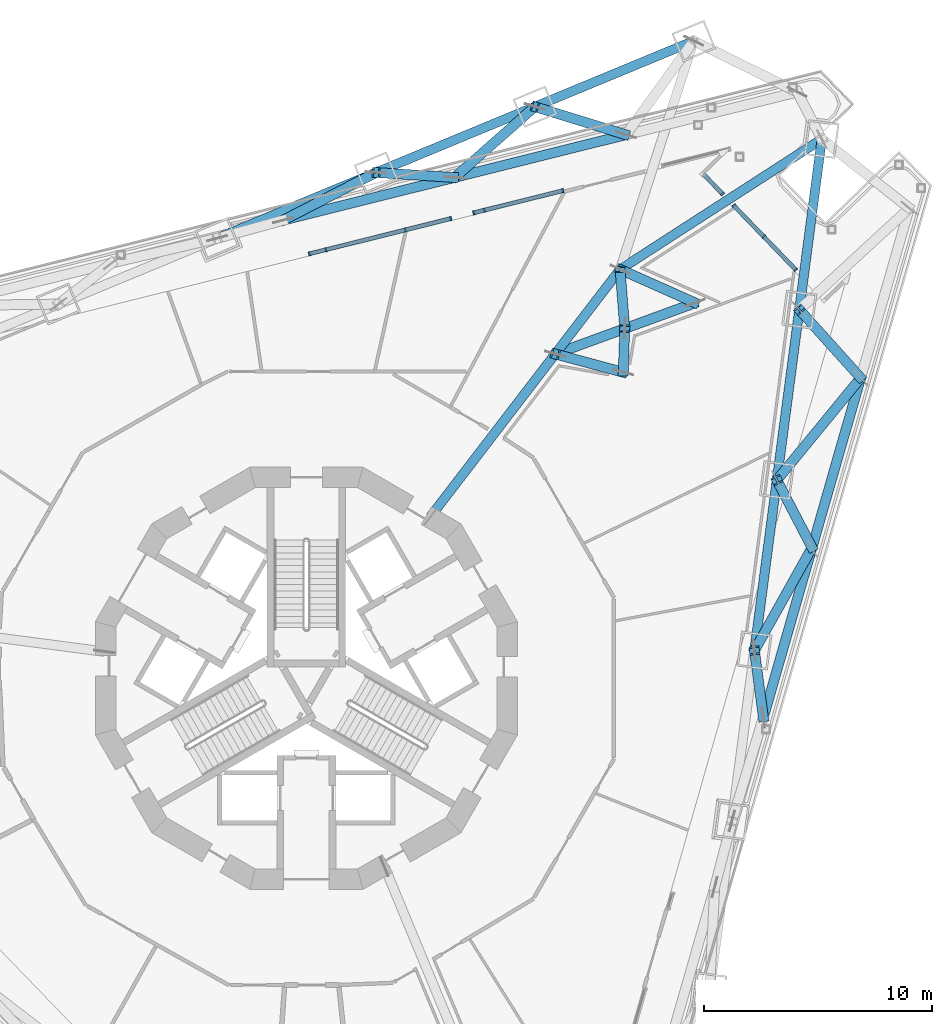
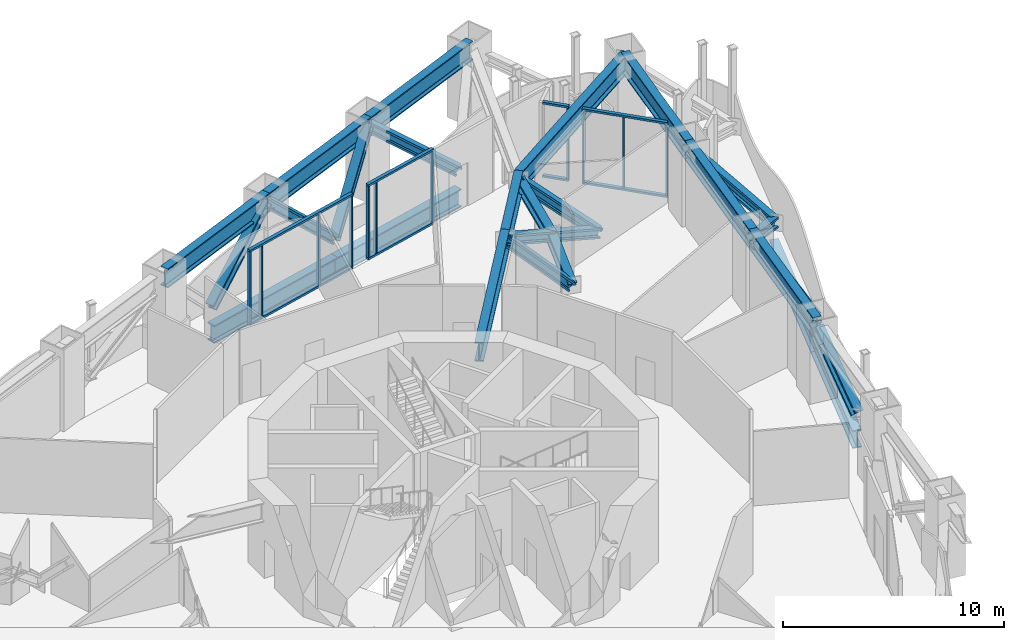
# One storey, part 5 of 26: 43 members, 3 beams, 4 elements without a shape of their own.
"""IFC4 building model written with IfcOpenShell, lengths in metres."""

from ifc_helpers import new_model, si_unit, direction, frame, origin, origin_2d, place, context, subcontext, project, spatial, rectangle, i_section, extrude, material, layer, layer_set, material_profile, profile_set, type_object, element, aggregate, save


model = new_model("IFC4")

# Units and contexts
model_context = context("Model", 3, precision=1e-05, world=origin(), true_north=direction((0.0, 1.0)))
body_context = subcontext(model_context, "Body", "Model", "MODEL_VIEW")
ifc_project = project(units=[si_unit("LENGTHUNIT", "METRE"), si_unit("AREAUNIT", "SQUARE_METRE"), si_unit("VOLUMEUNIT", "CUBIC_METRE"), si_unit("PLANEANGLEUNIT", "RADIAN"), si_unit("MASSUNIT", "GRAM", prefix="KILO")], contexts=[model_context])

# Site, building, storey
site_placement = place(None, origin())
site = spatial("IfcSite", under=ifc_project, at=site_placement, CompositionType="ELEMENT")
building_placement = place(site_placement, origin())
building = spatial("IfcBuilding", under=site, at=building_placement, Name="Trine Commons Tower", CompositionType="ELEMENT")
storey_placement = place(building_placement, frame((0.0, 0.0, 119.699951171875)))
storey = spatial("IfcBuildingStorey", under=building, at=storey_placement, Name="L30", CompositionType="ELEMENT", Elevation=119.699951171875)

# Curtain wall, members
ifc_material_1 = material(Name="Sky lounge glazing: anodised aluminium frame with low-emissivity double glazed unit, solar control", Category="aluminium")
ifc_layer = layer(ifc_material_1, 0.179931640625)
ifc_layer_set = layer_set([ifc_layer], Name="Sky lounge glazing: anodised aluminium frame with low-emissivity double glazed unit, solar control")
curtain_wall_type = type_object("IfcCurtainWallType", Name="Sky lounge glazing curtain wall CW5", PredefinedType="NOTDEFINED", material=ifc_layer_set)
curtain_wall_1_placement = place(storey_placement, origin())
curtain_wall_1 = element("IfcCurtainWall", 1, at=curtain_wall_1_placement, inside=storey, type_object=curtain_wall_type, Name="Sky lounge glazing L30 F1.1", PredefinedType="NOTDEFINED")
ifc_material_2 = material(Name="Anodised aluminium, bronze finish", Category="aluminium")
ifc_material_profile_1 = material_profile(ifc_material_2, rectangle(XDim=0.179931640625, YDim=0.074951171875, at=origin_2d()), Name="Mullion 75x180")
ifc_profile_set_1 = profile_set([ifc_material_profile_1], Name="Anodised aluminium, bronze finish")
member_type_1 = type_object("IfcMemberType", Name="Mullion 75x180, Anodised aluminium, bronze finish", PredefinedType="MULLION", material=ifc_profile_set_1)
member_1_placement = place(storey_placement, frame((80.134521484375, 81.145263671875, 0.110107421875), z_axis=(0.0, 0.0, 1.0), x_axis=(-0.2419218956, 0.970295726276, 0.0)))
member_1 = element("IfcMember", 2, at=member_1_placement, type_object=member_type_1, Name="CW5 mullion 1.1", PredefinedType="MULLION", context=body_context, shape_type="SweptSolid", body=[
    extrude(rectangle(XDim=0.179931640625, YDim=0.074951171875, at=origin_2d()), origin(), (0.0, 0.0, 1.0), 3.929931640625),
])
member_2_placement = place(storey_placement, frame((80.853759765625, 81.32470703125, 0.110107421875), z_axis=(0.0, 0.0, 1.0), x_axis=(-0.2419218956, 0.970295726276, 0.0)))
member_2 = element("IfcMember", 3, at=member_2_placement, type_object=member_type_1, Name="CW5 mullion 2.1", PredefinedType="MULLION", context=body_context, shape_type="SweptSolid", body=[
    extrude(rectangle(XDim=0.179931640625, YDim=0.074951171875, at=origin_2d()), origin(), (0.0, 0.0, 1.0), 3.929931640625),
])
member_3_placement = place(storey_placement, frame((84.33544921875, 82.192626953125, 0.110107421875), z_axis=(0.0, 0.0, 1.0), x_axis=(-0.2419218956, 0.970295726276, 0.0)))
member_3 = element("IfcMember", 4, at=member_3_placement, type_object=member_type_1, Name="CW5 mullion 3.1", PredefinedType="MULLION", context=body_context, shape_type="SweptSolid", body=[
    extrude(rectangle(XDim=0.179931640625, YDim=0.074951171875, at=origin_2d()), origin(), (0.0, 0.0, 1.0), 3.929931640625),
])
member_4_placement = place(storey_placement, frame((86.334716796875, 82.691162109375, 0.110107421875), z_axis=(0.0, 0.0, 1.0), x_axis=(-0.2419218956, 0.970295726276, 0.0)))
member_4 = element("IfcMember", 5, at=member_4_placement, type_object=member_type_1, Name="CW5 mullion 4.1", PredefinedType="MULLION", context=body_context, shape_type="SweptSolid", body=[
    extrude(rectangle(XDim=0.179931640625, YDim=0.074951171875, at=origin_2d()), origin(), (0.0, 0.0, 1.0), 3.929931640625),
])

curtain_wall_2_placement = place(storey_placement, origin())
curtain_wall_2 = element("IfcCurtainWall", 6, at=curtain_wall_2_placement, inside=storey, type_object=curtain_wall_type, Name="Sky lounge glazing L30 F1.2", PredefinedType="NOTDEFINED")
member_5_placement = place(storey_placement, frame((87.354736328125, 82.945556640625, 0.110107421875), z_axis=(0.0, 0.0, 1.0), x_axis=(-0.2419218956, 0.970295726276, 0.0)))
member_5 = element("IfcMember", 7, at=member_5_placement, type_object=member_type_1, Name="CW5 mullion 1.1", PredefinedType="MULLION", context=body_context, shape_type="SweptSolid", body=[
    extrude(rectangle(XDim=0.179931640625, YDim=0.074951171875, at=origin_2d()), origin(), (0.0, 0.0, 1.0), 3.929931640625),
])
member_6_placement = place(storey_placement, frame((87.81689453125, 83.060791015625, 0.110107421875), z_axis=(0.0, 0.0, 1.0), x_axis=(-0.2419218956, 0.970295726276, 0.0)))
member_6 = element("IfcMember", 8, at=member_6_placement, type_object=member_type_1, Name="CW5 mullion 2.1", PredefinedType="MULLION", context=body_context, shape_type="SweptSolid", body=[
    extrude(rectangle(XDim=0.179931640625, YDim=0.074951171875, at=origin_2d()), origin(), (0.0, 0.0, 1.0), 3.929931640625),
])
member_7_placement = place(storey_placement, frame((91.26220703125, 83.919921875, 0.110107421875), z_axis=(0.0, 0.0, 1.0), x_axis=(-0.2419218956, 0.970295726276, 0.0)))
member_7 = element("IfcMember", 9, at=member_7_placement, type_object=member_type_1, Name="CW5 mullion 3.1", PredefinedType="MULLION", context=body_context, shape_type="SweptSolid", body=[
    extrude(rectangle(XDim=0.179931640625, YDim=0.074951171875, at=origin_2d()), origin(), (0.0, 0.0, 1.0), 3.929931640625),
])

# Curtain wall, member
curtain_wall_3_placement = place(storey_placement, origin())
curtain_wall_3 = element("IfcCurtainWall", 10, at=curtain_wall_3_placement, inside=storey, type_object=curtain_wall_type, Name="Sky lounge glazing L30 P2.1", PredefinedType="NOTDEFINED")
member_8_placement = place(storey_placement, frame((98.27587890625, 83.7783203125, 0.110107421875), z_axis=(0.0, 0.0, 1.0), x_axis=(0.719339800339, 0.694658370459, 0.0)))
member_8 = element("IfcMember", 11, at=member_8_placement, type_object=member_type_1, Name="CW5 mullion 2.1", PredefinedType="MULLION", context=body_context, shape_type="SweptSolid", body=[
    extrude(rectangle(XDim=0.179931640625, YDim=0.074951171875, at=origin_2d()), origin(), (0.0, 0.0, 1.0), 3.929931640625),
])

# Curtain wall, members
curtain_wall_4_placement = place(storey_placement, origin())
curtain_wall_4 = element("IfcCurtainWall", 12, at=curtain_wall_4_placement, inside=storey, type_object=curtain_wall_type, Name="Sky lounge glazing L30 P2.2", PredefinedType="NOTDEFINED")
member_9_placement = place(storey_placement, frame((98.7734375, 83.26318359375, 0.110107421875), z_axis=(0.0, 0.0, 1.0), x_axis=(0.719339800339, 0.694658370459, 0.0)))
member_9 = element("IfcMember", 13, at=member_9_placement, type_object=member_type_1, Name="CW5 mullion 1.1", PredefinedType="MULLION", context=body_context, shape_type="SweptSolid", body=[
    extrude(rectangle(XDim=0.179931640625, YDim=0.074951171875, at=origin_2d()), origin(), (0.0, 0.0, 1.0), 3.929931640625),
])
member_10_placement = place(storey_placement, frame((100.089599609375, 81.900390625, 0.110107421875), z_axis=(0.0, 0.0, 1.0), x_axis=(0.719339800339, 0.694658370459, 0.0)))
member_10 = element("IfcMember", 14, at=member_10_placement, type_object=member_type_1, Name="CW5 mullion 2.1", PredefinedType="MULLION", context=body_context, shape_type="SweptSolid", body=[
    extrude(rectangle(XDim=0.179931640625, YDim=0.074951171875, at=origin_2d()), origin(), (0.0, 0.0, 1.0), 3.929931640625),
])
member_11_placement = place(storey_placement, frame((101.497802734375, 80.44189453125, 0.110107421875), z_axis=(0.0, 0.0, 1.0), x_axis=(0.719339800339, 0.694658370459, 0.0)))
member_11 = element("IfcMember", 15, at=member_11_placement, type_object=member_type_1, Name="CW5 mullion 3.1", PredefinedType="MULLION", context=body_context, shape_type="SweptSolid", body=[
    extrude(rectangle(XDim=0.179931640625, YDim=0.074951171875, at=origin_2d()), origin(), (0.0, 0.0, 1.0), 3.929931640625),
])

# Beams
ifc_material_3 = material(Name="Structural steel ASTM A992 Gr50", Category="steel")
ifc_material_profile_2 = material_profile(ifc_material_3, i_section(OverallWidth=0.412841796875, OverallDepth=1.0478515625, WebThickness=0.033935546875, FlangeThickness=0.059814453125, FilletRadius=0.030029296875, at=origin_2d()), Name="W40X431")
ifc_profile_set_2 = profile_set([ifc_material_profile_2], Name="Structural steel ASTM A992 Gr50")
beam_type = type_object("IfcBeamType", Name="Steel beam W40X431, ASTM A992 Gr50", PredefinedType="BEAM", material=ifc_profile_set_2)
beam_1_placement = place(storey_placement, frame((102.6376953125, 86.1796875, 3.626220703125), z_axis=(-0.840027066575, -0.542544493495, 0.0), x_axis=(0.542544493495, -0.840027066575, 0.0)))
element("IfcBeam", 16, at=beam_1_placement, inside=storey, type_object=beam_type, Name="Transfer truss girder T3-UV-04", PredefinedType="BEAM", context=body_context, shape_type="SweptSolid", body=[
    extrude(i_section(OverallWidth=0.412841796875, OverallDepth=1.0478515625, WebThickness=0.033935546875, FlangeThickness=0.059814453125, FilletRadius=0.030029296875, at=origin_2d()), origin(), (0.0, 0.0, 1.0), 10.544189453125),
])
beam_2_placement = place(storey_placement, frame((85.4501953125, 69.602783203125, 3.626220703125), z_axis=(0.60876400574, 0.793351363089, 0.0), x_axis=(-0.793351363089, 0.60876400574, 0.0)))
element("IfcBeam", 17, at=beam_2_placement, inside=storey, type_object=beam_type, Name="Transfer truss girder T3-UR-03", PredefinedType="BEAM", context=body_context, shape_type="SweptSolid", body=[
    extrude(i_section(OverallWidth=0.412841796875, OverallDepth=1.0478515625, WebThickness=0.033935546875, FlangeThickness=0.059814453125, FilletRadius=0.030029296875, at=origin_2d()), origin(), (0.0, 0.0, 1.0), 9.001708984375),
])
beam_3_placement = place(storey_placement, frame((90.93017578125, 76.744384765625, 3.626220703125), z_axis=(0.608732542894, 0.793375504551, 0.0), x_axis=(-0.793375504551, 0.608732542894, 0.0)))
element("IfcBeam", 18, at=beam_3_placement, inside=storey, type_object=beam_type, Name="Transfer truss girder T3-UR-04", PredefinedType="BEAM", context=body_context, shape_type="SweptSolid", body=[
    extrude(i_section(OverallWidth=0.412841796875, OverallDepth=1.0478515625, WebThickness=0.033935546875, FlangeThickness=0.059814453125, FilletRadius=0.030029296875, at=origin_2d()), origin(), (0.0, 0.0, 1.0), 4.68212890625),
])

# Members
ifc_material_profile_3 = material_profile(ifc_material_3, i_section(OverallWidth=0.43798828125, OverallDepth=0.514404296875, WebThickness=0.060546875, FlangeThickness=0.096923828125, FilletRadius=0.015380859375, at=origin_2d()), Name="W14X550")
ifc_profile_set_3 = profile_set([ifc_material_profile_3], Name="Structural steel ASTM A992 Gr50")
member_type_2 = type_object("IfcMemberType", Name="Steel brace W14X550, ASTM A992 Gr50", PredefinedType="BRACE", material=ifc_profile_set_3)
member_12_placement = place(storey_placement, frame((86.50830078125, 84.496826171875, 0.49365234375), z_axis=(-0.739411248239, 0.04679552994, 0.671625777018), x_axis=(-0.063161191048, -0.998003338644, 0.0)))
element("IfcMember", 19, at=member_12_placement, inside=storey, type_object=member_type_2, Name="Transfer truss brace T3-DG-27", PredefinedType="BRACE", context=body_context, shape_type="SweptSolid", body=[
    extrude(i_section(OverallWidth=0.43798828125, OverallDepth=0.514404296875, WebThickness=0.060546875, FlangeThickness=0.096923828125, FilletRadius=0.015380859375, at=origin_2d()), origin(), (0.0, 0.0, 1.0), 4.6640625),
])
member_13_placement = place(storey_placement, frame((78.981201171875, 82.6201171875, 0.49365234375), z_axis=(0.734454143108, 0.377273331458, 0.564129369065), x_axis=(-0.456920841701, 0.88950736052, 0.0)))
element("IfcMember", 20, at=member_13_placement, inside=storey, type_object=member_type_2, Name="Transfer truss brace T3-DG-28", PredefinedType="BRACE", context=body_context, shape_type="SweptSolid", body=[
    extrude(i_section(OverallWidth=0.43798828125, OverallDepth=0.514404296875, WebThickness=0.060546875, FlangeThickness=0.096923828125, FilletRadius=0.015380859375, at=origin_2d()), origin(), (0.0, 0.0, 1.0), 5.552978515625),
])
member_14_placement = place(storey_placement, frame((94.035400390625, 86.37353515625, 0.49365234375), z_axis=(-0.765049696515, 0.235601115405, 0.599325517796), x_axis=(-0.294315453968, -0.955708330797, 0.0)))
element("IfcMember", 21, at=member_14_placement, inside=storey, type_object=member_type_2, Name="Transfer truss brace T3-DG-29", PredefinedType="BRACE", context=body_context, shape_type="SweptSolid", body=[
    extrude(i_section(OverallWidth=0.43798828125, OverallDepth=0.514404296875, WebThickness=0.060546875, FlangeThickness=0.096923828125, FilletRadius=0.015380859375, at=origin_2d()), origin(), (0.0, 0.0, 1.0), 5.226806640625),
])
member_15_placement = place(storey_placement, frame((86.50830078125, 84.496826171875, 0.49365234375), z_axis=(0.624479985606, 0.550114496039, 0.554435558768), x_axis=(-0.661015229923, 0.75037248471, 0.0)))
element("IfcMember", 22, at=member_15_placement, inside=storey, type_object=member_type_2, Name="Transfer truss brace T3-DG-30", PredefinedType="BRACE", context=body_context, shape_type="SweptSolid", body=[
    extrude(i_section(OverallWidth=0.43798828125, OverallDepth=0.514404296875, WebThickness=0.060546875, FlangeThickness=0.096923828125, FilletRadius=0.015380859375, at=origin_2d()), origin(), (0.0, 0.0, 1.0), 5.64990234375),
])
member_16_placement = place(storey_placement, frame((104.348876953125, 75.69384765625, 0.49365234375), z_axis=(-0.528116927257, 0.587163134496, 0.613459016262), x_axis=(-0.743501822295, -0.6687339084, 0.0)))
element("IfcMember", 23, at=member_16_placement, inside=storey, type_object=member_type_2, Name="Transfer truss brace T3-DG-35", PredefinedType="BRACE", context=body_context, shape_type="SweptSolid", body=[
    extrude(i_section(OverallWidth=0.43798828125, OverallDepth=0.514404296875, WebThickness=0.060546875, FlangeThickness=0.096923828125, FilletRadius=0.015380859375, at=origin_2d()), origin(), (0.0, 0.0, 1.0), 5.1064453125),
])
member_17_placement = place(storey_placement, frame((102.210693359375, 68.23681640625, 0.49365234375), z_axis=(-0.336963772152, 0.647560635165, 0.683462244781), x_axis=(-0.887086542523, -0.461603147816, 0.0)))
element("IfcMember", 24, at=member_17_placement, inside=storey, type_object=member_type_2, Name="Transfer truss brace T3-DG-37", PredefinedType="BRACE", context=body_context, shape_type="SweptSolid", body=[
    extrude(i_section(OverallWidth=0.43798828125, OverallDepth=0.514404296875, WebThickness=0.060546875, FlangeThickness=0.096923828125, FilletRadius=0.015380859375, at=origin_2d()), origin(), (0.0, 0.0, 1.0), 4.58349609375),
])
member_18_placement = place(storey_placement, frame((104.348876953125, 75.69384765625, 0.49365234375), z_axis=(-0.558190842943, -0.680419983373, 0.474817469226), x_axis=(0.773130466266, -0.634247019805, 0.0)))
element("IfcMember", 25, at=member_18_placement, inside=storey, type_object=member_type_2, Name="Transfer truss brace T3-DG-38", PredefinedType="BRACE", context=body_context, shape_type="SweptSolid", body=[
    extrude(i_section(OverallWidth=0.43798828125, OverallDepth=0.514404296875, WebThickness=0.060546875, FlangeThickness=0.096923828125, FilletRadius=0.015380859375, at=origin_2d()), origin(), (0.0, 0.0, 1.0), 6.597412109375),
])
member_19_placement = place(storey_placement, frame((100.072265625, 60.779541015625, 0.49365234375), z_axis=(-0.090861192543, 0.681260804398, 0.726380038327), x_axis=(-0.991222864333, -0.132201487224, 0.0)))
element("IfcMember", 26, at=member_19_placement, inside=storey, type_object=member_type_2, Name="Transfer truss brace T3-DG-39", PredefinedType="BRACE", context=body_context, shape_type="SweptSolid", body=[
    extrude(i_section(OverallWidth=0.43798828125, OverallDepth=0.514404296875, WebThickness=0.060546875, FlangeThickness=0.096923828125, FilletRadius=0.015380859375, at=origin_2d()), origin(), (0.0, 0.0, 1.0), 4.3125),
])
member_20_placement = place(storey_placement, frame((102.210693359375, 68.23681640625, 0.49365234375), z_axis=(-0.418017363582, -0.746615150257, 0.517520338877), x_axis=(0.87254941741, -0.488525858248, 0.0)))
element("IfcMember", 27, at=member_20_placement, inside=storey, type_object=member_type_2, Name="Transfer truss brace T3-DG-40", PredefinedType="BRACE", context=body_context, shape_type="SweptSolid", body=[
    extrude(i_section(OverallWidth=0.43798828125, OverallDepth=0.514404296875, WebThickness=0.060546875, FlangeThickness=0.096923828125, FilletRadius=0.015380859375, at=origin_2d()), origin(), (0.0, 0.0, 1.0), 6.052978515625),
])
member_21_placement = place(storey_placement, frame((93.917724609375, 75.940185546875, 0.49365234375), z_axis=(-0.678547441504, 0.182653858978, 0.711485022631), x_axis=(-0.259931024816, -0.965627185998, 0.0)))
element("IfcMember", 28, at=member_21_placement, inside=storey, type_object=member_type_2, Name="Transfer truss brace T3-DG-53", PredefinedType="BRACE", context=body_context, shape_type="SweptSolid", body=[
    extrude(i_section(OverallWidth=0.43798828125, OverallDepth=0.514404296875, WebThickness=0.060546875, FlangeThickness=0.096923828125, FilletRadius=0.015380859375, at=origin_2d()), origin(), (0.0, 0.0, 1.0), 4.40283203125),
])
member_22_placement = place(storey_placement, frame((97.07666015625, 78.99072265625, 0.49365234375), z_axis=(-0.847180403654, -0.309616575072, 0.431767229078), x_axis=(0.343261309558, -0.939239944509, 0.0)))
element("IfcMember", 29, at=member_22_placement, inside=storey, type_object=member_type_2, Name="Transfer truss brace T3-DG-54", PredefinedType="BRACE", context=body_context, shape_type="SweptSolid", body=[
    extrude(i_section(OverallWidth=0.43798828125, OverallDepth=0.514404296875, WebThickness=0.060546875, FlangeThickness=0.096923828125, FilletRadius=0.015380859375, at=origin_2d()), origin(), (0.0, 0.0, 1.0), 7.255126953125),
])
member_23_placement = place(storey_placement, frame((97.07666015625, 78.99072265625, 0.49365234375), z_axis=(-0.689823833869, 0.307258223736, 0.655542113196), x_axis=(-0.406879053686, -0.913482039053, 0.0)))
element("IfcMember", 30, at=member_23_placement, inside=storey, type_object=member_type_2, Name="Transfer truss brace T3-DG-55", PredefinedType="BRACE", context=body_context, shape_type="SweptSolid", body=[
    extrude(i_section(OverallWidth=0.43798828125, OverallDepth=0.514404296875, WebThickness=0.060546875, FlangeThickness=0.096923828125, FilletRadius=0.015380859375, at=origin_2d()), origin(), (0.0, 0.0, 1.0), 4.778564453125),
])
member_24_placement = place(storey_placement, frame((93.917724609375, 75.940185546875, 0.49365234375), z_axis=(0.026129724886, 0.772496828967, 0.634480800902), x_axis=(-0.999428424249, 0.033805691868, 0.0)))
element("IfcMember", 31, at=member_24_placement, inside=storey, type_object=member_type_2, Name="Transfer truss brace T3-DG-56a", PredefinedType="BRACE", context=body_context, shape_type="SweptSolid", body=[
    extrude(i_section(OverallWidth=0.43798828125, OverallDepth=0.514404296875, WebThickness=0.060546875, FlangeThickness=0.096923828125, FilletRadius=0.015380859375, at=origin_2d()), origin(), (0.0, 0.0, 1.0), 2.4853515625),
])
member_25_placement = place(storey_placement, frame((93.982666015625, 77.860107421875, 2.070556640625), z_axis=(-0.066671749297, 0.85611673253, 0.512463674935), x_axis=(-0.996981315211, -0.077641851603, 0.0)))
element("IfcMember", 32, at=member_25_placement, inside=storey, type_object=member_type_2, Name="Transfer truss brace T3-DG-56b", PredefinedType="BRACE", context=body_context, shape_type="SweptSolid", body=[
    extrude(i_section(OverallWidth=0.43798828125, OverallDepth=0.514404296875, WebThickness=0.060546875, FlangeThickness=0.096923828125, FilletRadius=0.015380859375, at=origin_2d()), origin(), (0.0, 0.0, 1.0), 3.03564453125),
])
ifc_material_profile_4 = material_profile(ifc_material_3, i_section(OverallWidth=0.431884765625, OverallDepth=0.9873046875, WebThickness=0.034423828125, FlangeThickness=0.06201171875, FilletRadius=0.024169921875, at=origin_2d()), Name="W36X441")
ifc_profile_set_4 = profile_set([ifc_material_profile_4], Name="Structural steel ASTM A992 Gr50")
member_type_3 = type_object("IfcMemberType", Name="Steel chord W36X441, ASTM A992 Gr50", PredefinedType="CHORD", material=ifc_profile_set_4)
for number, where, z_axis, x_axis, name in (
    (33, (78.981201171875, 82.6201171875, -0.943603515625), (0.970295960131, 0.241920957657, 0.0), (-0.241920957657, 0.970295960131, 0.0), "Transfer truss chord T3-LC-12"),
    (34, (86.50830078125, 84.496826171875, -0.943603515625), (0.970295960131, 0.241920957657, 0.0), (-0.241920957657, 0.970295960131, 0.0), "Transfer truss chord T3-LC-13"),
    (35, (104.348876953125, 75.69384765625, -0.943603515625), (-0.275627146761, -0.961264623279, 0.0), (0.961264623279, -0.275627146761, 0.0), "Transfer truss chord T3-LC-16"),
):
    element("IfcMember", number, at=place(storey_placement, frame(where, z_axis=z_axis, x_axis=x_axis)), inside=storey, type_object=member_type_3, Name=name, PredefinedType="CHORD", context=body_context, shape_type="SweptSolid", body=[
        extrude(i_section(OverallWidth=0.431884765625, OverallDepth=0.9873046875, WebThickness=0.034423828125, FlangeThickness=0.06201171875, FilletRadius=0.024169921875, at=origin_2d()), origin(), (0.0, 0.0, 1.0), 7.757568359375),
    ])
member_26_placement = place(storey_placement, frame((102.210693359375, 68.23681640625, -0.943603515625), z_axis=(-0.275647888077, -0.961258675799, 0.0), x_axis=(0.961258675799, -0.275647888077, 0.0)))
element("IfcMember", 36, at=member_26_placement, inside=storey, type_object=member_type_3, Name="Transfer truss chord T3-LC-17", PredefinedType="CHORD", context=body_context, shape_type="SweptSolid", body=[
    extrude(i_section(OverallWidth=0.431884765625, OverallDepth=0.9873046875, WebThickness=0.034423828125, FlangeThickness=0.06201171875, FilletRadius=0.024169921875, at=origin_2d()), origin(), (0.0, 0.0, 1.0), 7.7578125),
])
ifc_material_profile_5 = material_profile(ifc_material_3, i_section(OverallWidth=0.412841796875, OverallDepth=1.0478515625, WebThickness=0.033935546875, FlangeThickness=0.059814453125, FilletRadius=0.030029296875, at=origin_2d()), Name="W40X431")
ifc_profile_set_5 = profile_set([ifc_material_profile_5], Name="Structural steel ASTM A992 Gr50")
member_type_4 = type_object("IfcMemberType", Name="Steel chord W40X431, ASTM A992 Gr50", PredefinedType="CHORD", material=ifc_profile_set_5)
for number, where, z_axis, x_axis, name in (
    (37, (76.08251953125, 81.8251953125, 3.626220703125), (0.923884049359, 0.382672527548, 0.0), (-0.382672527548, 0.923884049359, 0.0), "Transfer truss chord T3-UC-12"),
    (38, (83.0595703125, 84.715087890625, 3.626220703125), (0.923884049359, 0.382672527548, 0.0), (-0.382672527548, 0.923884049359, 0.0), "Transfer truss chord T3-UC-13"),
):
    element("IfcMember", number, at=place(storey_placement, frame(where, z_axis=z_axis, x_axis=x_axis)), inside=storey, type_object=member_type_4, Name=name, PredefinedType="CHORD", context=body_context, shape_type="SweptSolid", body=[
        extrude(i_section(OverallWidth=0.412841796875, OverallDepth=1.0478515625, WebThickness=0.033935546875, FlangeThickness=0.059814453125, FilletRadius=0.030029296875, at=origin_2d()), origin(), (0.0, 0.0, 1.0), 7.5517578125),
    ])
member_27_placement = place(storey_placement, frame((90.03662109375, 87.60498046875, 3.626220703125), z_axis=(0.923872619505, 0.382700121412, 0.0), x_axis=(-0.382700121412, 0.923872619505, 0.0)))
element("IfcMember", 39, at=member_27_placement, inside=storey, type_object=member_type_4, Name="Transfer truss chord T3-UC-14", PredefinedType="CHORD", context=body_context, shape_type="SweptSolid", body=[
    extrude(i_section(OverallWidth=0.412841796875, OverallDepth=1.0478515625, WebThickness=0.033935546875, FlangeThickness=0.059814453125, FilletRadius=0.030029296875, at=origin_2d()), origin(), (0.0, 0.0, 1.0), 7.552001953125),
])
member_28_placement = place(storey_placement, frame((102.6376953125, 86.1796875, 3.626220703125), z_axis=(-0.130505523157, -0.991447582288, 0.0), x_axis=(0.991447582288, -0.130505523157, 0.0)))
element("IfcMember", 40, at=member_28_placement, inside=storey, type_object=member_type_4, Name="Transfer truss chord T3-UC-15", PredefinedType="CHORD", context=body_context, shape_type="SweptSolid", body=[
    extrude(i_section(OverallWidth=0.412841796875, OverallDepth=1.0478515625, WebThickness=0.033935546875, FlangeThickness=0.059814453125, FilletRadius=0.030029296875, at=origin_2d()), origin(), (0.0, 0.0, 1.0), 7.55224609375),
])
for number, where, z_axis, x_axis, name in (
    (41, (101.652099609375, 78.692138671875, 3.626220703125), (-0.130541483651, -0.991442848099, 0.0), (0.991442848099, -0.130541483651, 0.0), "Transfer truss chord T3-UC-16"),
    (42, (100.666259765625, 71.204833984375, 3.626220703125), (-0.130541483651, -0.991442848099, 0.0), (0.991442848099, -0.130541483651, 0.0), "Transfer truss chord T3-UC-17"),
):
    element("IfcMember", number, at=place(storey_placement, frame(where, z_axis=z_axis, x_axis=x_axis)), inside=storey, type_object=member_type_4, Name=name, PredefinedType="CHORD", context=body_context, shape_type="SweptSolid", body=[
        extrude(i_section(OverallWidth=0.412841796875, OverallDepth=1.0478515625, WebThickness=0.033935546875, FlangeThickness=0.059814453125, FilletRadius=0.030029296875, at=origin_2d()), origin(), (0.0, 0.0, 1.0), 7.552001953125),
    ])

# Member
ifc_material_profile_6 = material_profile(ifc_material_2, rectangle(XDim=0.179931640625, YDim=0.110107421875, at=origin_2d()), Name="Transom 110x180")
ifc_profile_set_6 = profile_set([ifc_material_profile_6], Name="Anodised aluminium, bronze finish")
member_type_5 = type_object("IfcMemberType", Name="Transom 110x180, Anodised aluminium, bronze finish", PredefinedType="USERDEFINED", material=ifc_profile_set_6)
member_29_placement = place(storey_placement, frame((80.097900390625, 81.13623046875, 0.054931640625), z_axis=(0.970300007798, 0.241904722707, 0.0), x_axis=(-0.241904722707, 0.970300007798, 0.0)))
member_29 = element("IfcMember", 43, at=member_29_placement, type_object=member_type_5, Name="CW5 transom T00", ObjectType="TRANSOM", PredefinedType="USERDEFINED", context=body_context, shape_type="SweptSolid", body=[
    extrude(rectangle(XDim=0.179931640625, YDim=0.110107421875, at=origin_2d()), origin(), (0.0, 0.0, 1.0), 6.46533203125),
])

member_30_placement = place(storey_placement, frame((80.097900390625, 81.13623046875, 4.094970703125), z_axis=(0.970300007798, 0.241904722707, 0.0), x_axis=(-0.241904722707, 0.970300007798, 0.0)))
member_30 = element("IfcMember", 44, at=member_30_placement, type_object=member_type_5, Name="CW5 transom TH00", ObjectType="TRANSOM", PredefinedType="USERDEFINED", context=body_context, shape_type="SweptSolid", body=[
    extrude(rectangle(XDim=0.179931640625, YDim=0.110107421875, at=origin_2d()), origin(), (0.0, 0.0, 1.0), 6.46533203125),
])

aggregate(curtain_wall_1, [member_29, member_30, member_1, member_2, member_3, member_4])

member_31_placement = place(storey_placement, frame((87.318359375, 82.936279296875, 0.054931640625), z_axis=(0.970292854279, 0.241933414258, 0.0), x_axis=(-0.241933414258, 0.970292854279, 0.0)))
member_31 = element("IfcMember", 45, at=member_31_placement, type_object=member_type_5, Name="CW5 transom T00", ObjectType="TRANSOM", PredefinedType="USERDEFINED", context=body_context, shape_type="SweptSolid", body=[
    extrude(rectangle(XDim=0.179931640625, YDim=0.110107421875, at=origin_2d()), origin(), (0.0, 0.0, 1.0), 4.10205078125),
])

member_32_placement = place(storey_placement, frame((87.318359375, 82.936279296875, 4.094970703125), z_axis=(0.970292854279, 0.241933414258, 0.0), x_axis=(-0.241933414258, 0.970292854279, 0.0)))
member_32 = element("IfcMember", 46, at=member_32_placement, type_object=member_type_5, Name="CW5 transom TH00", ObjectType="TRANSOM", PredefinedType="USERDEFINED", context=body_context, shape_type="SweptSolid", body=[
    extrude(rectangle(XDim=0.179931640625, YDim=0.110107421875, at=origin_2d()), origin(), (0.0, 0.0, 1.0), 4.10205078125),
])

aggregate(curtain_wall_2, [member_31, member_32, member_5, member_6, member_7])

member_33_placement = place(storey_placement, frame((97.449951171875, 84.6337890625, 0.054931640625), z_axis=(0.694658449543, -0.719339723968, 0.0), x_axis=(0.719339723968, 0.694658449543, 0.0)))
member_33 = element("IfcMember", 47, at=member_33_placement, type_object=member_type_5, Name="CW5 transom T00", ObjectType="TRANSOM", PredefinedType="USERDEFINED", context=body_context, shape_type="SweptSolid", body=[
    extrude(rectangle(XDim=0.179931640625, YDim=0.110107421875, at=origin_2d()), origin(), (0.0, 0.0, 1.0), 1.2265625),
])

member_34_placement = place(storey_placement, frame((97.449951171875, 84.6337890625, 4.094970703125), z_axis=(0.694658449543, -0.719339723968, 0.0), x_axis=(0.719339723968, 0.694658449543, 0.0)))
member_34 = element("IfcMember", 48, at=member_34_placement, type_object=member_type_5, Name="CW5 transom TH00", ObjectType="TRANSOM", PredefinedType="USERDEFINED", context=body_context, shape_type="SweptSolid", body=[
    extrude(rectangle(XDim=0.179931640625, YDim=0.110107421875, at=origin_2d()), origin(), (0.0, 0.0, 1.0), 1.2265625),
])

aggregate(curtain_wall_3, [member_33, member_34, member_8])

member_35_placement = place(storey_placement, frame((98.747314453125, 83.290283203125, 0.054931640625), z_axis=(0.694661003185, -0.719337257936, 0.0), x_axis=(0.719337257936, 0.694661003185, 0.0)))
member_35 = element("IfcMember", 49, at=member_35_placement, type_object=member_type_5, Name="CW5 transom T00", ObjectType="TRANSOM", PredefinedType="USERDEFINED", context=body_context, shape_type="SweptSolid", body=[
    extrude(rectangle(XDim=0.179931640625, YDim=0.110107421875, at=origin_2d()), origin(), (0.0, 0.0, 1.0), 3.9970703125),
])

member_36_placement = place(storey_placement, frame((98.747314453125, 83.290283203125, 4.094970703125), z_axis=(0.694661003185, -0.719337257936, 0.0), x_axis=(0.719337257936, 0.694661003185, 0.0)))
member_36 = element("IfcMember", 50, at=member_36_placement, type_object=member_type_5, Name="CW5 transom TH00", ObjectType="TRANSOM", PredefinedType="USERDEFINED", context=body_context, shape_type="SweptSolid", body=[
    extrude(rectangle(XDim=0.179931640625, YDim=0.110107421875, at=origin_2d()), origin(), (0.0, 0.0, 1.0), 3.9970703125),
])

aggregate(curtain_wall_4, [member_35, member_36, member_9, member_10, member_11])

save(model, "model.ifc")
